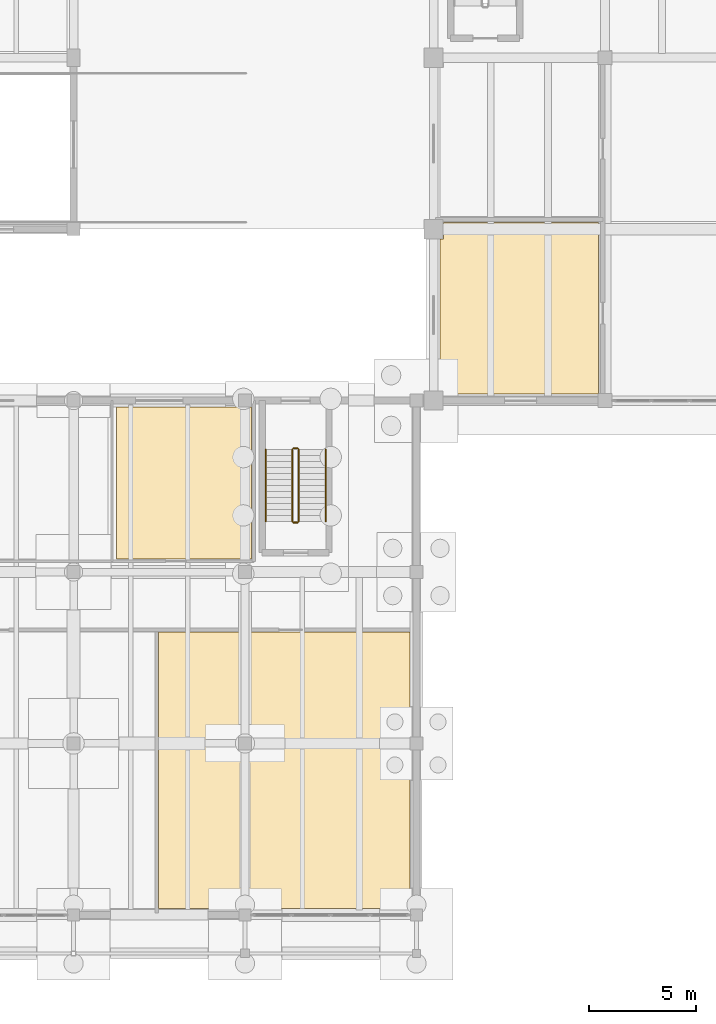
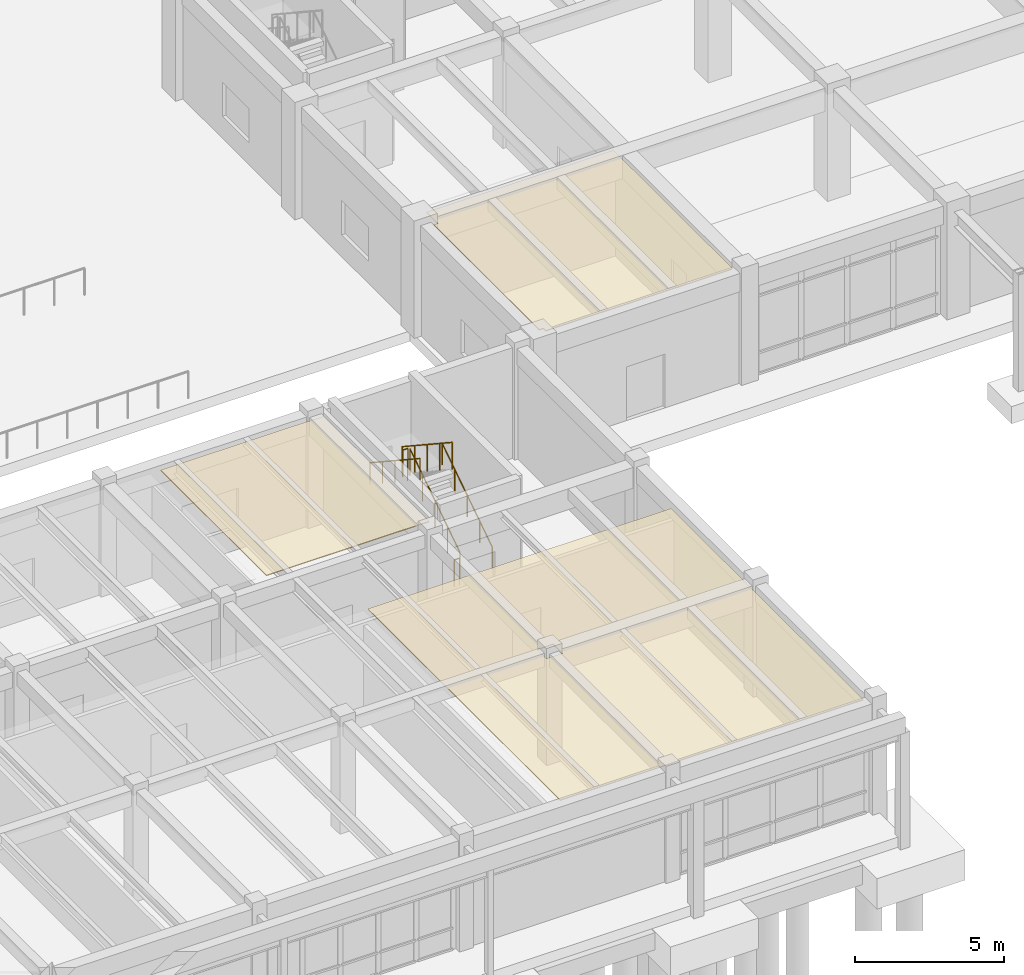
# One storey, part 48 of 64: 6 railings, 3 coverings.
"""IFC4 building model written with IfcOpenShell, lengths in metres."""

from ifc_helpers import new_model, si_unit, direction, frame, origin, origin_2d, place, context, subcontext, project, spatial, polyline, circle, outline, extrude, material, layer, layer_set, type_object, element, save


model = new_model("IFC4")

# Units and contexts
model_context = context("Model", 3, precision=1e-05, world=origin(), true_north=direction((0.0, 1.0)))
body_context = subcontext(model_context, "Body", "Model", "MODEL_VIEW")
ifc_project = project(units=[si_unit("LENGTHUNIT", "METRE"), si_unit("AREAUNIT", "SQUARE_METRE"), si_unit("VOLUMEUNIT", "CUBIC_METRE"), si_unit("PLANEANGLEUNIT", "RADIAN"), si_unit("MASSUNIT", "GRAM", prefix="KILO")], contexts=[model_context])

# Site, building, storey
site_placement = place(None, origin())
site = spatial("IfcSite", under=ifc_project, at=site_placement, CompositionType="ELEMENT")
building_placement = place(site_placement, origin())
building = spatial("IfcBuilding", under=site, at=building_placement, Name="Tlaxcora Railside Police Headquarters", CompositionType="ELEMENT")
storey_placement = place(building_placement, origin())
storey = spatial("IfcBuildingStorey", under=building, at=storey_placement, Name="L00", CompositionType="ELEMENT", Elevation=0.0)

# Coverings
ifc_material_1 = material(Name="Mineral-fibre acoustic ceiling tile")
ifc_layer = layer(ifc_material_1, 0.034912109375, Name="Mineral-fibre acoustic ceiling tile")
ifc_layer_set = layer_set([ifc_layer], Name="Mineral-fibre acoustic ceiling tile")
covering_type = type_object("IfcCoveringType", Name="Acoustic Suspended Ceiling CLG-01", PredefinedType="CEILING", material=ifc_layer_set)
covering_1_placement = place(storey_placement, frame((0.0, 0.0, 4.364990234375)))
element("IfcCovering", 1, at=covering_1_placement, inside=storey, type_object=covering_type, Name="Fire Command Centre suspended ceiling", PredefinedType="CEILING", context=body_context, shape_type="SweptSolid", body=[
    extrude(outline(polyline([(53.699951171875, 44.300048828125), (46.4599609375, 44.300048828125), (46.4599609375, 43.5400390625), (46.300048828125, 43.5400390625), (46.300048828125, 36.4599609375), (46.4599609375, 36.4599609375), (46.4599609375, 36.300048828125), (53.6650390625, 36.300048828125), (53.6650390625, 36.3349609375), (53.699951171875, 36.3349609375), (53.699951171875, 44.300048828125)])), origin(), (0.0, 0.0, 1.0), 0.034912109375),
])
covering_2_placement = place(storey_placement, frame((0.0, 0.0, 4.364990234375)))
element("IfcCovering", 2, at=covering_2_placement, inside=storey, type_object=covering_type, Name="Public Waiting and Clearance Certificates Lounge suspended ceiling", PredefinedType="CEILING", context=body_context, shape_type="SweptSolid", body=[
    extrude(outline(polyline([(33.159912109375, 25.199951171875), (33.159912109375, 12.300048828125), (44.89990234375, 12.300048828125), (44.89990234375, 19.68994140625), (44.889892578125, 19.68994140625), (44.889892578125, 20.31005859375), (44.89990234375, 20.31005859375), (44.89990234375, 25.199951171875), (33.159912109375, 25.199951171875)]), holes=[polyline([(37.510009765625, 20.31005859375), (37.510009765625, 19.68994140625), (36.889892578125, 19.68994140625), (36.889892578125, 20.31005859375), (37.510009765625, 20.31005859375)])]), origin(), (0.0, 0.0, 1.0), 0.034912109375),
])
covering_3_placement = place(storey_placement, frame((0.0, 0.0, 4.364990234375)))
element("IfcCovering", 3, at=covering_3_placement, inside=storey, type_object=covering_type, Name="Accessible WC and Public Restrooms V4 suspended ceiling", PredefinedType="CEILING", context=body_context, shape_type="SweptSolid", body=[
    extrude(outline(polyline([(31.199951171875, 28.60009765625), (37.5, 28.60009765625), (37.5, 35.68994140625), (36.889892578125, 35.68994140625), (36.889892578125, 35.699951171875), (31.199951171875, 35.699951171875), (31.199951171875, 28.60009765625)])), origin(), (0.0, 0.0, 1.0), 0.034912109375),
])

# Railings
ifc_material_2 = material(Name="Steel ASTM A992 Grade 50", Category="steel")
railing_type_1 = type_object("IfcRailingType", Name="Stair Well Guard Balustrade GR-02", PredefinedType="BALUSTRADE", material=ifc_material_2)
railing_1_placement = place(storey_placement, frame((39.7099609375, 30.360107421875, 0.1845703125)))
element("IfcRailing", 4, at=railing_1_placement, inside=storey, type_object=railing_type_1, Name="L00 ST10 stair guard 1", PredefinedType="BALUSTRADE", context=body_context, shape_type="SweptSolid", body=[
    extrude(circle(Radius=0.02392578125, at=origin_2d()), frame((0.0, 0.0, 1.09619140625), z_axis=(0.0, 0.834858096282, 0.550465220583), x_axis=(-1.0, 0.0, 0.0)), (0.0, 0.0, 1.0), 4.0244140625),
    extrude(circle(Radius=0.02099609375, at=origin_2d()), origin(), (0.0, 0.0, 1.0), 1.072021484375),
    extrude(circle(Radius=0.02099609375, at=origin_2d()), frame((0.0, 0.83984375, 0.5537109375)), (0.0, 0.0, 1.0), 1.072021484375),
    extrude(circle(Radius=0.02099609375, at=origin_2d()), frame((0.0, 1.679931640625, 1.107666015625)), (0.0, 0.0, 1.0), 1.072021484375),
    extrude(circle(Radius=0.02099609375, at=origin_2d()), frame((0.0, 2.52001953125, 1.66162109375)), (0.0, 0.0, 1.0), 1.072021484375),
    extrude(circle(Radius=0.02099609375, at=origin_2d()), frame((0.0, 3.35986328125, 2.21533203125)), (0.0, 0.0, 1.0), 1.072021484375),
])
railing_2_placement = place(storey_placement, frame((39.659912109375, 33.77001953125, 2.39990234375)))
element("IfcRailing", 5, at=railing_2_placement, inside=storey, type_object=railing_type_1, Name="L00 ST10 stair guard 2", PredefinedType="BALUSTRADE", context=body_context, shape_type="SweptSolid", body=[
    extrude(circle(Radius=0.02392578125, at=origin_2d()), frame((0.0, 0.0, 1.09619140625), z_axis=(-1.0, 0.0, 0.0), x_axis=(0.0, -1.0, 0.0)), (0.0, 0.0, 1.0), 0.199951171875),
    extrude(circle(Radius=0.02099609375, at=origin_2d()), origin(), (0.0, 0.0, 1.0), 1.072021484375),
    extrude(circle(Radius=0.02099609375, at=origin_2d()), frame((-0.199951171875, 0.0, 0.0)), (0.0, 0.0, 1.0), 1.072021484375),
])
railing_3_placement = place(storey_placement, frame((39.409912109375, 33.719970703125, 2.584716796875)))
element("IfcRailing", 6, at=railing_3_placement, inside=storey, type_object=railing_type_1, Name="L00 ST10 stair guard 3", PredefinedType="BALUSTRADE", context=body_context, shape_type="SweptSolid", body=[
    extrude(circle(Radius=0.02392578125, at=origin_2d()), frame((0.0, 0.0, 1.09619140625), z_axis=(0.0, -0.834858096282, 0.550465220583), x_axis=(1.0, 0.0, 0.0)), (0.0, 0.0, 1.0), 4.0244140625),
    extrude(circle(Radius=0.02099609375, at=origin_2d()), origin(), (0.0, 0.0, 1.0), 1.072021484375),
    extrude(circle(Radius=0.02099609375, at=origin_2d()), frame((0.0, -0.83984375, 0.5537109375)), (0.0, 0.0, 1.0), 1.072021484375),
    extrude(circle(Radius=0.02099609375, at=origin_2d()), frame((0.0, -1.679931640625, 1.107666015625)), (0.0, 0.0, 1.0), 1.072021484375),
    extrude(circle(Radius=0.02099609375, at=origin_2d()), frame((0.0, -2.52001953125, 1.66162109375)), (0.0, 0.0, 1.0), 1.072021484375),
    extrude(circle(Radius=0.02099609375, at=origin_2d()), frame((0.0, -3.35986328125, 2.21533203125)), (0.0, 0.0, 1.0), 1.072021484375),
])
railing_4_placement = place(storey_placement, frame((39.659912109375, 30.31005859375, 0.0)))
element("IfcRailing", 7, at=railing_4_placement, inside=storey, type_object=railing_type_1, Name="L00 ST10 stair guard 4", PredefinedType="BALUSTRADE", context=body_context, shape_type="SweptSolid", body=[
    extrude(circle(Radius=0.02392578125, at=origin_2d()), frame((0.0, 0.0, 1.09619140625), z_axis=(-1.0, 0.0, 0.0), x_axis=(0.0, -1.0, 0.0)), (0.0, 0.0, 1.0), 0.199951171875),
    extrude(circle(Radius=0.02099609375, at=origin_2d()), origin(), (0.0, 0.0, 1.0), 1.072021484375),
    extrude(circle(Radius=0.02099609375, at=origin_2d()), frame((-0.199951171875, 0.0, 0.0)), (0.0, 0.0, 1.0), 1.072021484375),
])
railing_type_2 = type_object("IfcRailingType", Name="Stair and Ramp Handrail HR-01", PredefinedType="HANDRAIL", material=ifc_material_2)
railing_5_placement = place(storey_placement, frame((40.9599609375, 30.360107421875, 0.1845703125)))
element("IfcRailing", 8, at=railing_5_placement, inside=storey, type_object=railing_type_2, Name="L00 ST10 stair handrail 1", PredefinedType="HANDRAIL", context=body_context, shape_type="SweptSolid", body=[
    extrude(circle(Radius=0.02392578125, at=origin_2d()), frame((0.0, 0.0, 0.8759765625), z_axis=(0.0, 0.834858096282, 0.550465220583), x_axis=(-1.0, 0.0, 0.0)), (0.0, 0.0, 1.0), 4.0244140625),
    extrude(circle(Radius=0.02099609375, at=origin_2d()), origin(), (0.0, 0.0, 1.0), 0.851806640625),
    extrude(circle(Radius=0.02099609375, at=origin_2d()), frame((0.0, 0.83984375, 0.5537109375)), (0.0, 0.0, 1.0), 0.851806640625),
    extrude(circle(Radius=0.02099609375, at=origin_2d()), frame((0.0, 1.679931640625, 1.107666015625)), (0.0, 0.0, 1.0), 0.851806640625),
    extrude(circle(Radius=0.02099609375, at=origin_2d()), frame((0.0, 2.52001953125, 1.66162109375)), (0.0, 0.0, 1.0), 0.851806640625),
    extrude(circle(Radius=0.02099609375, at=origin_2d()), frame((0.0, 3.35986328125, 2.21533203125)), (0.0, 0.0, 1.0), 0.851806640625),
])
railing_6_placement = place(storey_placement, frame((38.159912109375, 33.719970703125, 2.584716796875)))
element("IfcRailing", 9, at=railing_6_placement, inside=storey, type_object=railing_type_2, Name="L00 ST10 stair handrail 2", PredefinedType="HANDRAIL", context=body_context, shape_type="SweptSolid", body=[
    extrude(circle(Radius=0.02392578125, at=origin_2d()), frame((0.0, 0.0, 0.8759765625), z_axis=(0.0, -0.834858096282, 0.550465220583), x_axis=(1.0, 0.0, 0.0)), (0.0, 0.0, 1.0), 4.0244140625),
    extrude(circle(Radius=0.02099609375, at=origin_2d()), origin(), (0.0, 0.0, 1.0), 0.851806640625),
    extrude(circle(Radius=0.02099609375, at=origin_2d()), frame((0.0, -0.83984375, 0.5537109375)), (0.0, 0.0, 1.0), 0.851806640625),
    extrude(circle(Radius=0.02099609375, at=origin_2d()), frame((0.0, -1.679931640625, 1.107666015625)), (0.0, 0.0, 1.0), 0.851806640625),
    extrude(circle(Radius=0.02099609375, at=origin_2d()), frame((0.0, -2.52001953125, 1.66162109375)), (0.0, 0.0, 1.0), 0.851806640625),
    extrude(circle(Radius=0.02099609375, at=origin_2d()), frame((0.0, -3.35986328125, 2.21533203125)), (0.0, 0.0, 1.0), 0.851806640625),
])

save(model, "model.ifc")
